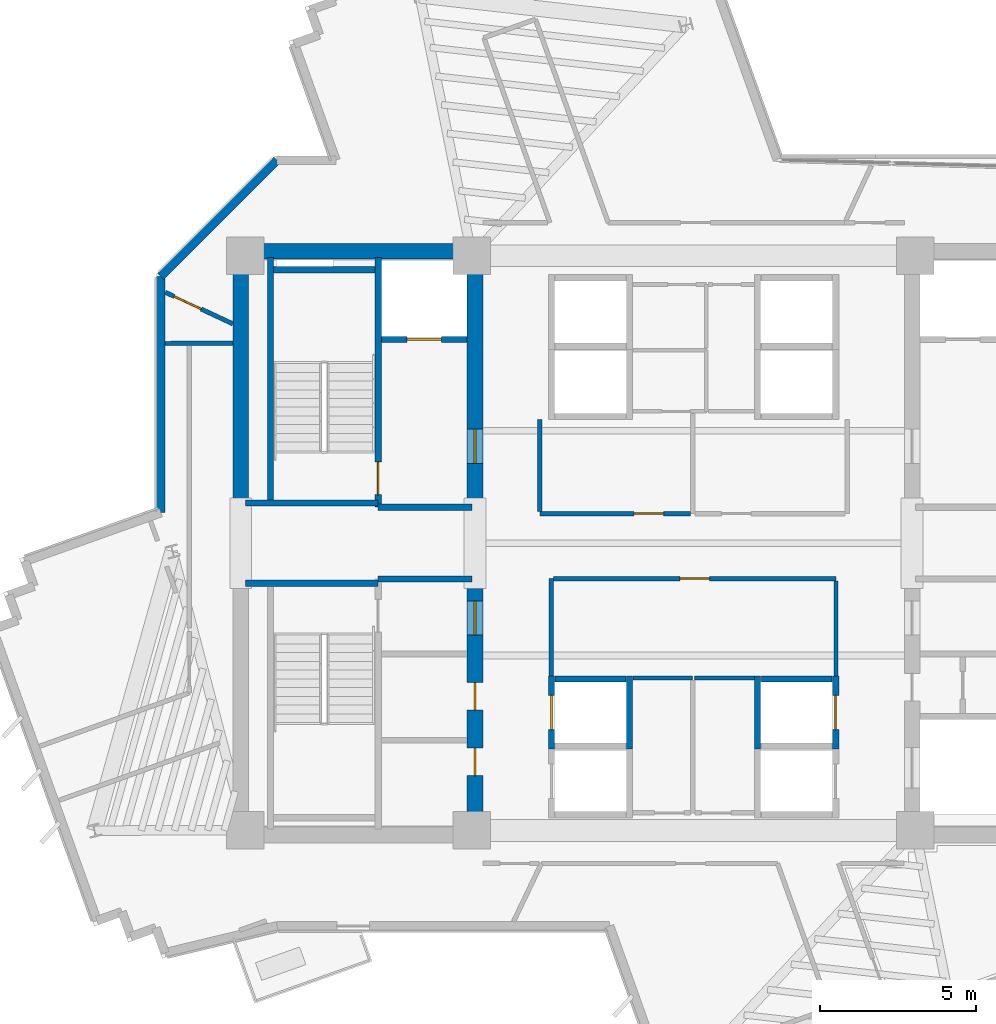
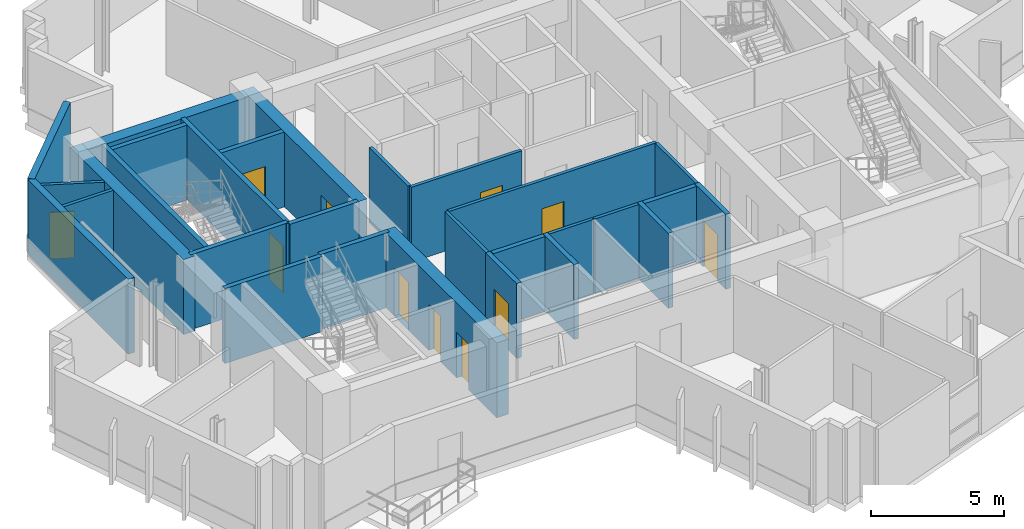
# One storey, part 7 of 13: 29 walls, 11 doors, 11 openings.
"""IFC4 building model written with IfcOpenShell, lengths in metres."""

from ifc_helpers import new_model, si_unit, direction, frame, frame_2d, origin, place, context, subcontext, project, spatial, rectangle, extrude, source, transform, mapped, material, layer, layer_set, type_object, element, fill, save


model = new_model("IFC4")

# Units and contexts
model_context = context("Model", 3, precision=1e-05, world=origin(), true_north=direction((0.0, 1.0)))
body_context = subcontext(model_context, "Body", "Model", "MODEL_VIEW")
ifc_project = project(units=[si_unit("LENGTHUNIT", "METRE"), si_unit("AREAUNIT", "SQUARE_METRE"), si_unit("VOLUMEUNIT", "CUBIC_METRE"), si_unit("PLANEANGLEUNIT", "RADIAN"), si_unit("MASSUNIT", "GRAM", prefix="KILO")], contexts=[model_context])

# Site, building, storey
site_placement = place(None, origin())
site = spatial("IfcSite", under=ifc_project, at=site_placement, CompositionType="ELEMENT")
building_placement = place(site_placement, origin())
building = spatial("IfcBuilding", under=site, at=building_placement, Name="Zahravan Cultural Tower", CompositionType="ELEMENT")
storey_placement = place(building_placement, frame((0.0, 0.0, 225.300048828125)))
storey = spatial("IfcBuildingStorey", under=building, at=storey_placement, Name="L53", CompositionType="ELEMENT", Elevation=225.300048828125)

# Wall, openings, doors
ifc_material_1 = material(Name="Concrete C60/75", Category="concrete")
ifc_layer_1 = layer(ifc_material_1, 0.5)
ifc_layer_set_1 = layer_set([ifc_layer_1], Name="Concrete C60/75")
wall_type_1 = type_object("IfcWallType", Name="CW-SHEAR-500-C60", PredefinedType="SHEAR", material=ifc_layer_set_1)
wall_1_placement = place(storey_placement, frame((29.0, 17.39990234375, 0.0), z_axis=(0.0, 0.0, 1.0), x_axis=(0.0, 1.0, 0.0)))
wall_1 = element("IfcWall", 1, at=wall_1_placement, inside=storey, type_object=wall_type_1, Name="L53 Core Shear Wall CW-W-ES-L53", PredefinedType="SHEAR", context=body_context, shape_type="SweptSolid", body=[
    extrude(rectangle(XDim=8.550048828125, YDim=0.5, at=frame_2d((4.27490234375, 0.0))), origin(), (0.0, 0.0, 1.0), 3.449951171875),
])
opening_1_placement = place(wall_1_placement, frame((6.64990234375, 0.0, 0.0)))
opening_1 = element("IfcOpeningElement", 2, at=opening_1_placement, cuts=wall_1, Name="Opening D-L53-07", PredefinedType="OPENING", context=body_context, shape_type="SweptSolid", body=[
    extrude(rectangle(XDim=1.10009765625, YDim=2.199951171875, at=frame_2d((0.550048828125, 1.10009765625))), frame((0.0, 0.260009765625, 0.0), z_axis=(0.0, -1.0, 0.0), x_axis=(1.0, 0.0, 0.0)), (0.0, 0.0, 1.0), 0.52001953125),
])
opening_2_placement = place(wall_1_placement, frame((2.14990234375, 0.0, 0.0)))
opening_2 = element("IfcOpeningElement", 3, at=opening_2_placement, cuts=wall_1, Name="Opening D-L53-09", PredefinedType="OPENING", context=body_context, shape_type="SweptSolid", body=[
    extrude(rectangle(XDim=0.8798828125, YDim=2.10009765625, at=frame_2d((0.43994140625, 1.050048828125))), frame((0.0, 0.260009765625, 0.0), z_axis=(0.0, -1.0, 0.0), x_axis=(1.0, 0.0, 0.0)), (0.0, 0.0, 1.0), 0.52001953125),
])
opening_3_placement = place(wall_1_placement, frame((4.25, 0.0, 0.0)))
opening_3 = element("IfcOpeningElement", 4, at=opening_3_placement, cuts=wall_1, Name="Opening D-L53-10", PredefinedType="OPENING", context=body_context, shape_type="SweptSolid", body=[
    extrude(rectangle(XDim=0.8798828125, YDim=2.10009765625, at=frame_2d((0.43994140625, 1.050048828125))), frame((0.0, 0.260009765625, 0.0), z_axis=(0.0, -1.0, 0.0), x_axis=(1.0, 0.0, 0.0)), (0.0, 0.0, 1.0), 0.52001953125),
])
ifc_material_2 = material(Name="Steel ASTM A572 Grade 50", Category="steel")
door_type_1 = type_object("IfcDoorType", Name="DR-LOBBY-1100", OperationType="NOTDEFINED", PredefinedType="DOOR", material=ifc_material_2)
shared_shape_1 = source(origin(), body_context, "Body", "SweptSolid", [
    extrude(rectangle(XDim=1.10009765625, YDim=2.199951171875, at=frame_2d((0.550048828125, 1.10009765625))), frame((0.0, 0.02490234375, 0.0), z_axis=(0.0, -1.0, 0.0), x_axis=(1.0, 0.0, 0.0)), (0.0, 0.0, 1.0), 0.050048828125),
])
door_1_placement = place(opening_1_placement, origin())
door_1 = element("IfcDoor", 5, at=door_1_placement, inside=storey, type_object=door_type_1, Name="L53 Door D-L53-07", OperationType="SINGLE_SWING_LEFT", OverallHeight=2.199951171875, OverallWidth=1.10009765625, PredefinedType="DOOR", context=body_context, shape_type="MappedRepresentation", body=[
    mapped(shared_shape_1, transform((0.0, 0.0, 0.0), x_axis=(1.0, 0.0, 0.0), y_axis=(0.0, 1.0, 0.0), z_axis=(0.0, 0.0, 1.0), scale=1.0)),
])
fill(opening_1, door_1)
door_type_2 = type_object("IfcDoorType", Name="DR-SVC-880", OperationType="NOTDEFINED", PredefinedType="DOOR", material=ifc_material_2)
shared_shape_2 = source(origin(), body_context, "Body", "SweptSolid", [
    extrude(rectangle(XDim=0.8798828125, YDim=2.10009765625, at=frame_2d((0.43994140625, 1.050048828125))), frame((0.0, 0.02490234375, 0.0), z_axis=(0.0, -1.0, 0.0), x_axis=(1.0, 0.0, 0.0)), (0.0, 0.0, 1.0), 0.050048828125),
])
door_2_placement = place(opening_2_placement, origin())
door_2 = element("IfcDoor", 6, at=door_2_placement, inside=storey, type_object=door_type_2, Name="L53 Door D-L53-09", OperationType="SINGLE_SWING_LEFT", OverallHeight=2.10009765625, OverallWidth=0.8798828125, PredefinedType="DOOR", context=body_context, shape_type="MappedRepresentation", body=[
    mapped(shared_shape_2, transform((0.0, 0.0, 0.0), x_axis=(1.0, 0.0, 0.0), y_axis=(0.0, 1.0, 0.0), z_axis=(0.0, 0.0, 1.0), scale=1.0)),
])
fill(opening_2, door_2)
door_3_placement = place(opening_3_placement, origin())
door_3 = element("IfcDoor", 7, at=door_3_placement, inside=storey, type_object=door_type_2, Name="L53 Door D-L53-10", OperationType="SINGLE_SWING_RIGHT", OverallHeight=2.10009765625, OverallWidth=0.8798828125, PredefinedType="DOOR", context=body_context, shape_type="MappedRepresentation", body=[
    mapped(shared_shape_2, transform((0.0, 0.0, 0.0), x_axis=(1.0, 0.0, 0.0), y_axis=(0.0, 1.0, 0.0), z_axis=(0.0, 0.0, 1.0), scale=1.0)),
])
fill(opening_3, door_3)

# Wall, opening, door
wall_2_placement = place(storey_placement, frame((29.0, 28.050048828125, 0.0), z_axis=(0.0, 0.0, 1.0), x_axis=(0.0, 1.0, 0.0)))
wall_2 = element("IfcWall", 8, at=wall_2_placement, inside=storey, type_object=wall_type_1, Name="L53 Core Shear Wall CW-W-EN-L53", PredefinedType="SHEAR", context=body_context, shape_type="SweptSolid", body=[
    extrude(rectangle(XDim=8.550048828125, YDim=0.5, at=frame_2d((4.27490234375, 0.0))), origin(), (0.0, 0.0, 1.0), 3.449951171875),
])
opening_4_placement = place(wall_2_placement, frame((1.5, 0.0, 0.0)))
opening_4 = element("IfcOpeningElement", 9, at=opening_4_placement, cuts=wall_2, Name="Opening D-L53-05", PredefinedType="OPENING", context=body_context, shape_type="SweptSolid", body=[
    extrude(rectangle(XDim=1.10009765625, YDim=2.199951171875, at=frame_2d((0.550048828125, 1.10009765625))), frame((0.0, 0.260009765625, 0.0), z_axis=(0.0, -1.0, 0.0), x_axis=(1.0, 0.0, 0.0)), (0.0, 0.0, 1.0), 0.52001953125),
])
door_4_placement = place(opening_4_placement, origin())
door_4 = element("IfcDoor", 10, at=door_4_placement, inside=storey, type_object=door_type_1, Name="L53 Door D-L53-05", OperationType="SINGLE_SWING_LEFT", OverallHeight=2.199951171875, OverallWidth=1.10009765625, PredefinedType="DOOR", context=body_context, shape_type="MappedRepresentation", body=[
    mapped(shared_shape_1, transform((0.0, 0.0, 0.0), x_axis=(1.0, 0.0, 0.0), y_axis=(0.0, 1.0, 0.0), z_axis=(0.0, 0.0, 1.0), scale=1.0)),
])
fill(opening_4, door_4)

ifc_material_3 = material(Name="Gypsum plasterboard partition")
ifc_layer_2 = layer(ifc_material_3, 0.139892578125)
ifc_layer_set_2 = layer_set([ifc_layer_2], Name="Gypsum plasterboard partition")
wall_type_2 = type_object("IfcWallType", Name="W-PART-140", PredefinedType="PARTITIONING", material=ifc_layer_set_2)
wall_3_placement = place(storey_placement, frame((19.0849609375, 35.0302734375, 0.0), z_axis=(0.0, 0.0, 1.0), x_axis=(0.905832355445, -0.423636334407, 0.0)))
wall_3 = element("IfcWall", 11, at=wall_3_placement, inside=storey, type_object=wall_type_2, Name="L53 Interior Wall 072", PredefinedType="PARTITIONING", context=body_context, shape_type="SweptSolid", body=[
    extrude(rectangle(XDim=2.384765625, YDim=0.139892578125, at=frame_2d((1.1923828125, 0.0))), origin(), (0.0, 0.0, 1.0), 3.449951171875),
])
opening_5_placement = place(wall_3_placement, frame((0.315673828125, 0.0, 0.0)))
opening_5 = element("IfcOpeningElement", 12, at=opening_5_placement, cuts=wall_3, Name="Opening D-L53-30", PredefinedType="OPENING", context=body_context, shape_type="SweptSolid", body=[
    extrude(rectangle(XDim=0.949951171875, YDim=2.14990234375, at=frame_2d((0.47509765625, 1.074951171875))), frame((0.0, 0.079833984375, 0.0), z_axis=(0.0, -1.0, 0.0), x_axis=(1.0, 0.0, 0.0)), (0.0, 0.0, 1.0), 0.159912109375),
])
ifc_material_4 = material(Name="Anodised bronze-aluminium mullion", Category="aluminium")
door_type_3 = type_object("IfcDoorType", Name="DR-ROOM-950", OperationType="NOTDEFINED", PredefinedType="DOOR", material=ifc_material_4)
shared_shape_3 = source(origin(), body_context, "Body", "SweptSolid", [
    extrude(rectangle(XDim=0.949951171875, YDim=2.14990234375, at=frame_2d((0.47509765625, 1.074951171875))), frame((0.0, 0.02490234375, 0.0), z_axis=(0.0, -1.0, 0.0), x_axis=(1.0, 0.0, 0.0)), (0.0, 0.0, 1.0), 0.050048828125),
])
door_5_placement = place(opening_5_placement, origin())
door_5 = element("IfcDoor", 13, at=door_5_placement, inside=storey, type_object=door_type_3, Name="L53 Door D-L53-30", OperationType="SINGLE_SWING_RIGHT", OverallHeight=2.14990234375, OverallWidth=0.949951171875, PredefinedType="DOOR", context=body_context, shape_type="MappedRepresentation", body=[
    mapped(shared_shape_3, transform((0.0, 0.0, 0.0), x_axis=(1.0, 0.0, 0.0), y_axis=(0.0, 1.0, 0.0), z_axis=(0.0, 0.0, 1.0), scale=1.0)),
])
fill(opening_5, door_5)

wall_4_placement = place(storey_placement, frame((35.89501953125, 27.93994140625, 0.0), z_axis=(0.0, 0.0, 1.0), x_axis=(-1.0, 0.0, 0.0)))
wall_4 = element("IfcWall", 14, at=wall_4_placement, inside=storey, type_object=wall_type_2, Name="L53 Interior Wall 079", PredefinedType="PARTITIONING", context=body_context, shape_type="SweptSolid", body=[
    extrude(rectangle(XDim=4.81494140625, YDim=0.139892578125, at=frame_2d((2.407470703125, 0.0))), origin(), (0.0, 0.0, 1.0), 3.449951171875),
])
opening_6_placement = place(wall_4_placement, frame((0.850341796875, 0.0, 0.0)))
opening_6 = element("IfcOpeningElement", 15, at=opening_6_placement, cuts=wall_4, Name="Opening D-L53-16", PredefinedType="OPENING", context=body_context, shape_type="SweptSolid", body=[
    extrude(rectangle(XDim=0.949951171875, YDim=2.14990234375, at=frame_2d((0.47509765625, 1.074951171875))), frame((0.0, 0.079833984375, 0.0), z_axis=(0.0, -1.0, 0.0), x_axis=(1.0, 0.0, 0.0)), (0.0, 0.0, 1.0), 0.159912109375),
])
door_6_placement = place(opening_6_placement, origin())
door_6 = element("IfcDoor", 16, at=door_6_placement, inside=storey, type_object=door_type_3, Name="L53 Door D-L53-16", OperationType="SINGLE_SWING_RIGHT", OverallHeight=2.14990234375, OverallWidth=0.949951171875, PredefinedType="DOOR", context=body_context, shape_type="MappedRepresentation", body=[
    mapped(shared_shape_3, transform((0.0, 0.0, 0.0), x_axis=(1.0, 0.0, 0.0), y_axis=(0.0, 1.0, 0.0), z_axis=(0.0, 0.0, 1.0), scale=1.0)),
])
fill(opening_6, door_6)

wall_5_placement = place(storey_placement, frame((31.514892578125, 25.860107421875, 0.0), z_axis=(0.0, 0.0, 1.0), x_axis=(1.0, 0.0, 0.0)))
wall_5 = element("IfcWall", 17, at=wall_5_placement, inside=storey, type_object=wall_type_2, Name="L53 Interior Wall 087", PredefinedType="PARTITIONING", context=body_context, shape_type="SweptSolid", body=[
    extrude(rectangle(XDim=9.045166015625, YDim=0.139892578125, at=frame_2d((4.5224609375, 0.0))), origin(), (0.0, 0.0, 1.0), 3.449951171875),
])
opening_7_placement = place(wall_5_placement, frame((4.047607421875, 0.0, 0.0)))
opening_7 = element("IfcOpeningElement", 18, at=opening_7_placement, cuts=wall_5, Name="Opening D-L53-13", PredefinedType="OPENING", context=body_context, shape_type="SweptSolid", body=[
    extrude(rectangle(XDim=0.949951171875, YDim=2.14990234375, at=frame_2d((0.47509765625, 1.074951171875))), frame((0.0, 0.079833984375, 0.0), z_axis=(0.0, -1.0, 0.0), x_axis=(1.0, 0.0, 0.0)), (0.0, 0.0, 1.0), 0.159912109375),
])
door_7_placement = place(opening_7_placement, origin())
door_7 = element("IfcDoor", 19, at=door_7_placement, inside=storey, type_object=door_type_3, Name="L53 Door D-L53-13", OperationType="SINGLE_SWING_LEFT", OverallHeight=2.14990234375, OverallWidth=0.949951171875, PredefinedType="DOOR", context=body_context, shape_type="MappedRepresentation", body=[
    mapped(shared_shape_3, transform((0.0, 0.0, 0.0), x_axis=(1.0, 0.0, 0.0), y_axis=(0.0, 1.0, 0.0), z_axis=(0.0, 0.0, 1.0), scale=1.0)),
])
fill(opening_7, door_7)

ifc_material_5 = material(Name="Concrete C45/55", Category="concrete")
ifc_layer_3 = layer(ifc_material_5, 0.199951171875)
ifc_layer_set_3 = layer_set([ifc_layer_3], Name="Concrete C45/55")
wall_type_3 = type_object("IfcWallType", Name="W-SHAFT-200", PredefinedType="SOLIDWALL", material=ifc_layer_set_3)
wall_6_placement = place(storey_placement, frame((25.89990234375, 28.14990234375, 0.0), z_axis=(0.0, 0.0, 1.0), x_axis=(0.0, 1.0, 0.0)))
wall_6 = element("IfcWall", 20, at=wall_6_placement, inside=storey, type_object=wall_type_3, Name="L53 Interior Wall 006", PredefinedType="SOLIDWALL", context=body_context, shape_type="SweptSolid", body=[
    extrude(rectangle(XDim=8.0, YDim=0.199951171875, at=frame_2d((4.0, 0.0))), origin(), (0.0, 0.0, 1.0), 3.449951171875),
])
opening_8_placement = place(wall_6_placement, frame((0.39990234375, 0.0, 0.0)))
opening_8 = element("IfcOpeningElement", 21, at=opening_8_placement, cuts=wall_6, Name="Opening D-L53-01", PredefinedType="OPENING", context=body_context, shape_type="SweptSolid", body=[
    extrude(rectangle(XDim=1.050048828125, YDim=2.14990234375, at=frame_2d((0.52490234375, 1.074951171875))), frame((0.0, 0.10986328125, 0.0), z_axis=(0.0, -1.0, 0.0), x_axis=(1.0, 0.0, 0.0)), (0.0, 0.0, 1.0), 0.219970703125),
])
door_type_4 = type_object("IfcDoorType", Name="DR-STAIR-1050", OperationType="NOTDEFINED", PredefinedType="DOOR", material=ifc_material_2)
shared_shape_4 = source(origin(), body_context, "Body", "SweptSolid", [
    extrude(rectangle(XDim=1.050048828125, YDim=2.14990234375, at=frame_2d((0.52490234375, 1.074951171875))), frame((0.0, 0.02490234375, 0.0), z_axis=(0.0, -1.0, 0.0), x_axis=(1.0, 0.0, 0.0)), (0.0, 0.0, 1.0), 0.050048828125),
])
door_8_placement = place(opening_8_placement, origin())
door_8 = element("IfcDoor", 22, at=door_8_placement, inside=storey, type_object=door_type_4, Name="L53 Door D-L53-01", OperationType="SINGLE_SWING_LEFT", OverallHeight=2.14990234375, OverallWidth=1.050048828125, PredefinedType="DOOR", context=body_context, shape_type="MappedRepresentation", body=[
    mapped(shared_shape_4, transform((0.0, 0.0, 0.0), x_axis=(1.0, 0.0, 0.0), y_axis=(0.0, 1.0, 0.0), z_axis=(0.0, 0.0, 1.0), scale=1.0)),
])
fill(opening_8, door_8)

wall_7_placement = place(storey_placement, frame((26.0, 33.52001953125, 0.0), z_axis=(0.0, 0.0, 1.0), x_axis=(1.0, 0.0, 0.0)))
wall_7 = element("IfcWall", 23, at=wall_7_placement, inside=storey, type_object=wall_type_3, Name="L53 Interior Wall 021", PredefinedType="SOLIDWALL", context=body_context, shape_type="SweptSolid", body=[
    extrude(rectangle(XDim=2.75, YDim=0.199951171875, at=frame_2d((1.375, 0.0))), origin(), (0.0, 0.0, 1.0), 3.449951171875),
])
opening_9_placement = place(wall_7_placement, frame((0.820068359375, 0.0, 0.0)))
opening_9 = element("IfcOpeningElement", 24, at=opening_9_placement, cuts=wall_7, Name="Opening LD-L53-01", PredefinedType="OPENING", context=body_context, shape_type="SweptSolid", body=[
    extrude(rectangle(XDim=1.10009765625, YDim=2.14990234375, at=frame_2d((0.550048828125, 1.074951171875))), frame((0.0, 0.10986328125, 0.0), z_axis=(0.0, -1.0, 0.0), x_axis=(1.0, 0.0, 0.0)), (0.0, 0.0, 1.0), 0.219970703125),
])
door_type_5 = type_object("IfcDoorType", Name="DR-LIFT-1100", OperationType="DOUBLE_DOOR_SLIDING", PredefinedType="DOOR", material=ifc_material_2)
shared_shape_5 = source(origin(), body_context, "Body", "SweptSolid", [
    extrude(rectangle(XDim=1.10009765625, YDim=2.14990234375, at=frame_2d((0.550048828125, 1.074951171875))), frame((0.0, 0.02490234375, 0.0), z_axis=(0.0, -1.0, 0.0), x_axis=(1.0, 0.0, 0.0)), (0.0, 0.0, 1.0), 0.050048828125),
])
door_9_placement = place(opening_9_placement, origin())
door_9 = element("IfcDoor", 25, at=door_9_placement, inside=storey, type_object=door_type_5, Name="L53 Door LD-L53-01", OperationType="DOUBLE_DOOR_SLIDING", OverallHeight=2.14990234375, OverallWidth=1.10009765625, PredefinedType="DOOR", context=body_context, shape_type="MappedRepresentation", body=[
    mapped(shared_shape_5, transform((0.0, 0.0, 0.0), x_axis=(1.0, 0.0, 0.0), y_axis=(0.0, 1.0, 0.0), z_axis=(0.0, 0.0, 1.0), scale=1.0)),
])
fill(opening_9, door_9)

wall_8_placement = place(storey_placement, frame((31.449951171875, 20.39990234375, 0.0), z_axis=(0.0, 0.0, 1.0), x_axis=(0.0, 1.0, 0.0)))
wall_8 = element("IfcWall", 26, at=wall_8_placement, inside=storey, type_object=wall_type_3, Name="L53 Interior Wall 042", PredefinedType="SOLIDWALL", context=body_context, shape_type="SweptSolid", body=[
    extrude(rectangle(XDim=2.35009765625, YDim=0.199951171875, at=frame_2d((1.175048828125, 0.0))), origin(), (0.0, 0.0, 1.0), 3.449951171875),
])
opening_10_placement = place(wall_8_placement, frame((0.625, 0.0, 0.0)))
opening_10 = element("IfcOpeningElement", 27, at=opening_10_placement, cuts=wall_8, Name="Opening LD-L53-04", PredefinedType="OPENING", context=body_context, shape_type="SweptSolid", body=[
    extrude(rectangle(XDim=1.10009765625, YDim=2.14990234375, at=frame_2d((0.550048828125, 1.074951171875))), frame((0.0, 0.10986328125, 0.0), z_axis=(0.0, -1.0, 0.0), x_axis=(1.0, 0.0, 0.0)), (0.0, 0.0, 1.0), 0.219970703125),
])
door_10_placement = place(opening_10_placement, origin())
door_10 = element("IfcDoor", 28, at=door_10_placement, inside=storey, type_object=door_type_5, Name="L53 Door LD-L53-04", OperationType="DOUBLE_DOOR_SLIDING", OverallHeight=2.14990234375, OverallWidth=1.10009765625, PredefinedType="DOOR", context=body_context, shape_type="MappedRepresentation", body=[
    mapped(shared_shape_5, transform((0.0, 0.0, 0.0), x_axis=(1.0, 0.0, 0.0), y_axis=(0.0, 1.0, 0.0), z_axis=(0.0, 0.0, 1.0), scale=1.0)),
])
fill(opening_10, door_10)

wall_9_placement = place(storey_placement, frame((40.550048828125, 20.39990234375, 0.0), z_axis=(0.0, 0.0, 1.0), x_axis=(0.0, 1.0, 0.0)))
wall_9 = element("IfcWall", 29, at=wall_9_placement, inside=storey, type_object=wall_type_3, Name="L53 Interior Wall 050", PredefinedType="SOLIDWALL", context=body_context, shape_type="SweptSolid", body=[
    extrude(rectangle(XDim=2.35009765625, YDim=0.199951171875, at=frame_2d((1.175048828125, 0.0))), origin(), (0.0, 0.0, 1.0), 3.449951171875),
])
opening_11_placement = place(wall_9_placement, frame((0.625, 0.0, 0.0)))
opening_11 = element("IfcOpeningElement", 30, at=opening_11_placement, cuts=wall_9, Name="Opening LD-L53-06", PredefinedType="OPENING", context=body_context, shape_type="SweptSolid", body=[
    extrude(rectangle(XDim=1.10009765625, YDim=2.14990234375, at=frame_2d((0.550048828125, 1.074951171875))), frame((0.0, 0.10986328125, 0.0), z_axis=(0.0, -1.0, 0.0), x_axis=(1.0, 0.0, 0.0)), (0.0, 0.0, 1.0), 0.219970703125),
])
door_11_placement = place(opening_11_placement, origin())
door_11 = element("IfcDoor", 31, at=door_11_placement, inside=storey, type_object=door_type_5, Name="L53 Door LD-L53-06", OperationType="DOUBLE_DOOR_SLIDING", OverallHeight=2.14990234375, OverallWidth=1.10009765625, PredefinedType="DOOR", context=body_context, shape_type="MappedRepresentation", body=[
    mapped(shared_shape_5, transform((0.0, 0.0, 0.0), x_axis=(1.0, 0.0, 0.0), y_axis=(0.0, 1.0, 0.0), z_axis=(0.0, 0.0, 1.0), scale=1.0)),
])
fill(opening_11, door_11)

# Walls
shared_shape_6 = source(origin(), body_context, "Body", "SweptSolid", [
    extrude(rectangle(XDim=8.550048828125, YDim=0.5, at=frame_2d((4.27490234375, 0.0))), origin(), (0.0, 0.0, 1.0), 3.449951171875),
])
wall_10_placement = place(storey_placement, frame((21.5, 28.050048828125, 0.0), z_axis=(0.0, 0.0, 1.0), x_axis=(0.0, 1.0, 0.0)))
element("IfcWall", 32, at=wall_10_placement, inside=storey, type_object=wall_type_1, Name="L53 Core Shear Wall CW-W-WN-L53", PredefinedType="SHEAR", context=body_context, shape_type="MappedRepresentation", body=[
    mapped(shared_shape_6, transform((0.0, 0.0, 0.0), x_axis=(1.0, 0.0, 0.0), y_axis=(0.0, 1.0, 0.0), z_axis=(0.0, 0.0, 1.0), scale=1.0)),
])
shared_shape_7 = source(origin(), body_context, "Body", "SweptSolid", [
    extrude(rectangle(XDim=7.0, YDim=0.5, at=frame_2d((3.5, 0.0))), origin(), (0.0, 0.0, 1.0), 3.449951171875),
])
wall_11_placement = place(storey_placement, frame((21.75, 36.35009765625, 0.0), z_axis=(0.0, 0.0, 1.0), x_axis=(1.0, 0.0, 0.0)))
element("IfcWall", 33, at=wall_11_placement, inside=storey, type_object=wall_type_1, Name="L53 Core Shear Wall CW-W-N-L53", PredefinedType="SHEAR", context=body_context, shape_type="MappedRepresentation", body=[
    mapped(shared_shape_7, transform((0.0, 0.0, 0.0), x_axis=(1.0, 0.0, 0.0), y_axis=(0.0, 1.0, 0.0), z_axis=(0.0, 0.0, 1.0), scale=1.0)),
])
ifc_material_6 = material(Name="Precast concrete C40/50", Category="concrete")
ifc_layer_4 = layer(ifc_material_6, 0.280029296875)
ifc_layer_set_4 = layer_set([ifc_layer_4], Name="Precast concrete C40/50")
wall_type_4 = type_object("IfcWallType", Name="EW-TC-280", PredefinedType="SOLIDWALL", material=ifc_layer_set_4)
shared_shape_8 = source(origin(), body_context, "Body", "SweptSolid", [
    extrude(rectangle(XDim=7.566650390625, YDim=0.280029296875, at=frame_2d((3.783203125, 0.0))), origin(), (0.0, 0.0, 1.0), 3.449951171875),
])
wall_12_placement = place(storey_placement, frame((18.93994140625, 27.975341796875, 0.0), z_axis=(0.0, 0.0, 1.0), x_axis=(0.0, 1.0, 0.0)))
element("IfcWall", 34, at=wall_12_placement, inside=storey, type_object=wall_type_4, Name="L53 Exterior Masonry Frame Wall 37", PredefinedType="SOLIDWALL", context=body_context, shape_type="MappedRepresentation", body=[
    mapped(shared_shape_8, transform((0.0, 0.0, 0.0), x_axis=(1.0, 0.0, 0.0), y_axis=(0.0, 1.0, 0.0), z_axis=(0.0, 0.0, 1.0), scale=1.0)),
])
shared_shape_9 = source(origin(), body_context, "Body", "SweptSolid", [
    extrude(rectangle(XDim=5.258056640625, YDim=0.280029296875, at=frame_2d((2.62890625, 0.0))), origin(), (0.0, 0.0, 1.0), 3.449951171875),
])
wall_13_placement = place(storey_placement, frame((18.93994140625, 35.5419921875, 0.0), z_axis=(0.0, 0.0, 1.0), x_axis=(0.707106781187, 0.707106781187, 0.0)))
element("IfcWall", 35, at=wall_13_placement, inside=storey, type_object=wall_type_4, Name="L53 Exterior Masonry Frame Wall 38", PredefinedType="SOLIDWALL", context=body_context, shape_type="MappedRepresentation", body=[
    mapped(shared_shape_9, transform((0.0, 0.0, 0.0), x_axis=(1.0, 0.0, 0.0), y_axis=(0.0, 1.0, 0.0), z_axis=(0.0, 0.0, 1.0), scale=1.0)),
])
shared_shape_10 = source(origin(), body_context, "Body", "SweptSolid", [
    extrude(rectangle(XDim=7.869873046875, YDim=0.199951171875, at=frame_2d((3.93505859375, 0.0))), origin(), (0.0, 0.0, 1.0), 3.449951171875),
])
wall_14_placement = place(storey_placement, frame((22.449951171875, 28.280029296875, 0.0), z_axis=(0.0, 0.0, 1.0), x_axis=(0.0, 1.0, 0.0)))
element("IfcWall", 36, at=wall_14_placement, inside=storey, type_object=wall_type_3, Name="L53 Interior Wall 002", PredefinedType="SOLIDWALL", context=body_context, shape_type="MappedRepresentation", body=[
    mapped(shared_shape_10, transform((0.0, 0.0, 0.0), x_axis=(1.0, 0.0, 0.0), y_axis=(0.0, 1.0, 0.0), z_axis=(0.0, 0.0, 1.0), scale=1.0)),
])
shared_shape_11 = source(origin(), body_context, "Body", "SweptSolid", [
    extrude(rectangle(XDim=4.25, YDim=0.199951171875, at=frame_2d((2.125, 0.0))), origin(), (0.0, 0.0, 1.0), 3.449951171875),
])
for number, where, z_axis, x_axis, name in (
    (37, (21.64990234375, 25.715087890625, 0.0), (0.0, 0.0, 1.0), (1.0, 0.0, 0.0), "L53 Interior Wall 009"),
    (38, (21.64990234375, 28.284912109375, 0.0), (0.0, 0.0, 1.0), (1.0, 0.0, 0.0), "L53 Interior Wall 011"),
):
    element("IfcWall", number, at=place(storey_placement, frame(where, z_axis=z_axis, x_axis=x_axis)), inside=storey, type_object=wall_type_3, Name=name, PredefinedType="SOLIDWALL", context=body_context, shape_type="MappedRepresentation", body=[
        mapped(shared_shape_11, transform((0.0, 0.0, 0.0), x_axis=(1.0, 0.0, 0.0), y_axis=(0.0, 1.0, 0.0), z_axis=(0.0, 0.0, 1.0), scale=1.0)),
    ])
shared_shape_12 = source(origin(), body_context, "Body", "SweptSolid", [
    extrude(rectangle(XDim=3.0, YDim=0.199951171875, at=frame_2d((1.5, 0.0))), origin(), (0.0, 0.0, 1.0), 3.449951171875),
])
for number, where, z_axis, x_axis, name in (
    (39, (25.89990234375, 25.85009765625, 0.0), (0.0, 0.0, 1.0), (1.0, 0.0, 0.0), "L53 Interior Wall 010"),
    (40, (25.89990234375, 28.14990234375, 0.0), (0.0, 0.0, 1.0), (1.0, 0.0, 0.0), "L53 Interior Wall 012"),
):
    element("IfcWall", number, at=place(storey_placement, frame(where, z_axis=z_axis, x_axis=x_axis)), inside=storey, type_object=wall_type_3, Name=name, PredefinedType="SOLIDWALL", context=body_context, shape_type="MappedRepresentation", body=[
        mapped(shared_shape_12, transform((0.0, 0.0, 0.0), x_axis=(1.0, 0.0, 0.0), y_axis=(0.0, 1.0, 0.0), z_axis=(0.0, 0.0, 1.0), scale=1.0)),
    ])
shared_shape_13 = source(origin(), body_context, "Body", "SweptSolid", [
    extrude(rectangle(XDim=3.25, YDim=0.199951171875, at=frame_2d((1.625, 0.0))), origin(), (0.0, 0.0, 1.0), 3.449951171875),
])
wall_15_placement = place(storey_placement, frame((22.550048828125, 35.75, 0.0), z_axis=(0.0, 0.0, 1.0), x_axis=(1.0, 0.0, 0.0)))
element("IfcWall", 41, at=wall_15_placement, inside=storey, type_object=wall_type_3, Name="L53 Interior Wall 017", PredefinedType="SOLIDWALL", context=body_context, shape_type="MappedRepresentation", body=[
    mapped(shared_shape_13, transform((0.0, 0.0, 0.0), x_axis=(1.0, 0.0, 0.0), y_axis=(0.0, 1.0, 0.0), z_axis=(0.0, 0.0, 1.0), scale=1.0)),
])
shared_shape_14 = source(origin(), body_context, "Body", "SweptSolid", [
    extrude(rectangle(XDim=2.260009765625, YDim=0.199951171875, at=frame_2d((1.1298828125, 0.0))), origin(), (0.0, 0.0, 1.0), 3.449951171875),
])
for number, where, z_axis, x_axis, name in (
    (42, (31.570068359375, 22.64990234375, 0.0), (0.0, 0.0, 1.0), (1.0, 0.0, 0.0), "L53 Interior Wall 045"),
    (43, (38.169921875, 22.64990234375, 0.0), (0.0, 0.0, 1.0), (1.0, 0.0, 0.0), "L53 Interior Wall 052"),
):
    element("IfcWall", number, at=place(storey_placement, frame(where, z_axis=z_axis, x_axis=x_axis)), inside=storey, type_object=wall_type_3, Name=name, PredefinedType="SOLIDWALL", context=body_context, shape_type="MappedRepresentation", body=[
        mapped(shared_shape_14, transform((0.0, 0.0, 0.0), x_axis=(1.0, 0.0, 0.0), y_axis=(0.0, 1.0, 0.0), z_axis=(0.0, 0.0, 1.0), scale=1.0)),
    ])
shared_shape_15 = source(origin(), body_context, "Body", "SweptSolid", [
    extrude(rectangle(XDim=2.35009765625, YDim=0.199951171875, at=frame_2d((1.175048828125, 0.0))), origin(), (0.0, 0.0, 1.0), 3.449951171875),
])
for number, where, z_axis, x_axis, name in (
    (44, (33.949951171875, 20.39990234375, 0.0), (0.0, 0.0, 1.0), (0.0, 1.0, 0.0), "L53 Interior Wall 043"),
    (45, (38.050048828125, 20.39990234375, 0.0), (0.0, 0.0, 1.0), (0.0, 1.0, 0.0), "L53 Interior Wall 049"),
):
    element("IfcWall", number, at=place(storey_placement, frame(where, z_axis=z_axis, x_axis=x_axis)), inside=storey, type_object=wall_type_3, Name=name, PredefinedType="SOLIDWALL", context=body_context, shape_type="MappedRepresentation", body=[
        mapped(shared_shape_15, transform((0.0, 0.0, 0.0), x_axis=(1.0, 0.0, 0.0), y_axis=(0.0, 1.0, 0.0), z_axis=(0.0, 0.0, 1.0), scale=1.0)),
    ])
shared_shape_16 = source(origin(), body_context, "Body", "SweptSolid", [
    extrude(rectangle(XDim=1.9150390625, YDim=0.139892578125, at=frame_2d((0.95751953125, 0.0))), origin(), (0.0, 0.0, 1.0), 3.449951171875),
])
for number, where, z_axis, x_axis, name in (
    (46, (34.054931640625, 22.679931640625, 0.0), (0.0, 0.0, 1.0), (1.0, 0.0, 0.0), "L53 Interior Wall 063"),
    (47, (36.030029296875, 22.679931640625, 0.0), (0.0, 0.0, 1.0), (1.0, 0.0, 0.0), "L53 Interior Wall 066"),
):
    element("IfcWall", number, at=place(storey_placement, frame(where, z_axis=z_axis, x_axis=x_axis)), inside=storey, type_object=wall_type_2, Name=name, PredefinedType="PARTITIONING", context=body_context, shape_type="MappedRepresentation", body=[
        mapped(shared_shape_16, transform((0.0, 0.0, 0.0), x_axis=(1.0, 0.0, 0.0), y_axis=(0.0, 1.0, 0.0), z_axis=(0.0, 0.0, 1.0), scale=1.0)),
    ])
shared_shape_17 = source(origin(), body_context, "Body", "SweptSolid", [
    extrude(rectangle(XDim=2.1650390625, YDim=0.139892578125, at=frame_2d((1.08251953125, 0.0))), origin(), (0.0, 0.0, 1.0), 3.449951171875),
])
wall_16_placement = place(storey_placement, frame((21.2451171875, 33.39990234375, 0.0), z_axis=(0.0, 0.0, 1.0), x_axis=(-0.999994277874, -0.003382930575, 0.0)))
element("IfcWall", 48, at=wall_16_placement, inside=storey, type_object=wall_type_2, Name="L53 Interior Wall 068", PredefinedType="PARTITIONING", context=body_context, shape_type="MappedRepresentation", body=[
    mapped(shared_shape_17, transform((0.0, 0.0, 0.0), x_axis=(1.0, 0.0, 0.0), y_axis=(0.0, 1.0, 0.0), z_axis=(0.0, 0.0, 1.0), scale=1.0)),
])
shared_shape_18 = source(origin(), body_context, "Body", "SweptSolid", [
    extrude(rectangle(XDim=2.93505859375, YDim=0.139892578125, at=frame_2d((1.467529296875, 0.0))), origin(), (0.0, 0.0, 1.0), 3.449951171875),
])
wall_17_placement = place(storey_placement, frame((31.080078125, 28.014892578125, 0.0), z_axis=(0.0, 0.0, 1.0), x_axis=(0.0, 1.0, 0.0)))
element("IfcWall", 49, at=wall_17_placement, inside=storey, type_object=wall_type_2, Name="L53 Interior Wall 080", PredefinedType="PARTITIONING", context=body_context, shape_type="MappedRepresentation", body=[
    mapped(shared_shape_18, transform((0.0, 0.0, 0.0), x_axis=(1.0, 0.0, 0.0), y_axis=(0.0, 1.0, 0.0), z_axis=(0.0, 0.0, 1.0), scale=1.0)),
])
shared_shape_19 = source(origin(), body_context, "Body", "SweptSolid", [
    extrude(rectangle(XDim=3.110107421875, YDim=0.139892578125, at=frame_2d((1.55517578125, 0.0))), origin(), (0.0, 0.0, 1.0), 3.449951171875),
])
wall_18_placement = place(storey_placement, frame((31.43994140625, 22.75, 0.0), z_axis=(0.0, 0.0, 1.0), x_axis=(0.0, 1.0, 0.0)))
element("IfcWall", 50, at=wall_18_placement, inside=storey, type_object=wall_type_2, Name="L53 Interior Wall 086", PredefinedType="PARTITIONING", context=body_context, shape_type="MappedRepresentation", body=[
    mapped(shared_shape_19, transform((0.0, 0.0, 0.0), x_axis=(1.0, 0.0, 0.0), y_axis=(0.0, 1.0, 0.0), z_axis=(0.0, 0.0, 1.0), scale=1.0)),
])
shared_shape_20 = source(origin(), body_context, "Body", "SweptSolid", [
    extrude(rectangle(XDim=3.034912109375, YDim=0.139892578125, at=frame_2d((1.517578125, 0.0))), origin(), (0.0, 0.0, 1.0), 3.449951171875),
])
wall_19_placement = place(storey_placement, frame((40.56005859375, 25.784912109375, 0.0), z_axis=(0.0, 0.0, 1.0), x_axis=(0.0, -1.0, 0.0)))
element("IfcWall", 51, at=wall_19_placement, inside=storey, type_object=wall_type_2, Name="L53 Interior Wall 088", PredefinedType="PARTITIONING", context=body_context, shape_type="MappedRepresentation", body=[
    mapped(shared_shape_20, transform((0.0, 0.0, 0.0), x_axis=(1.0, 0.0, 0.0), y_axis=(0.0, 1.0, 0.0), z_axis=(0.0, 0.0, 1.0), scale=1.0)),
])

save(model, "model.ifc")
